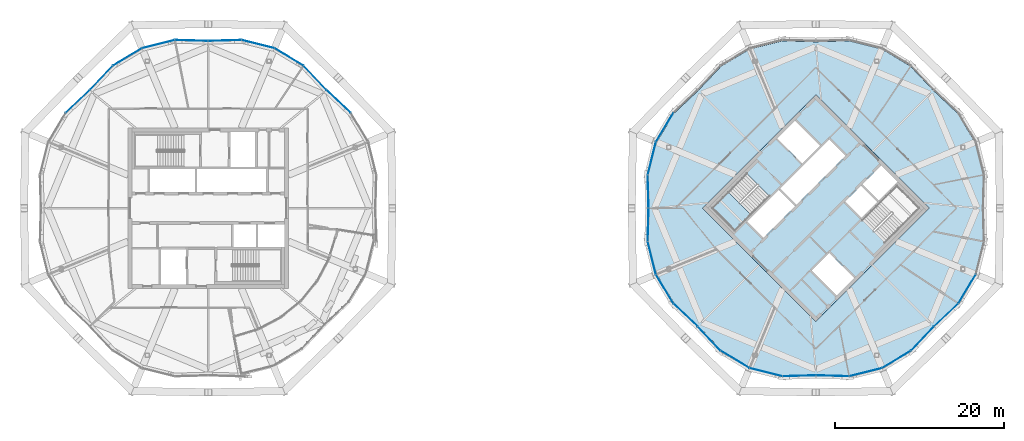
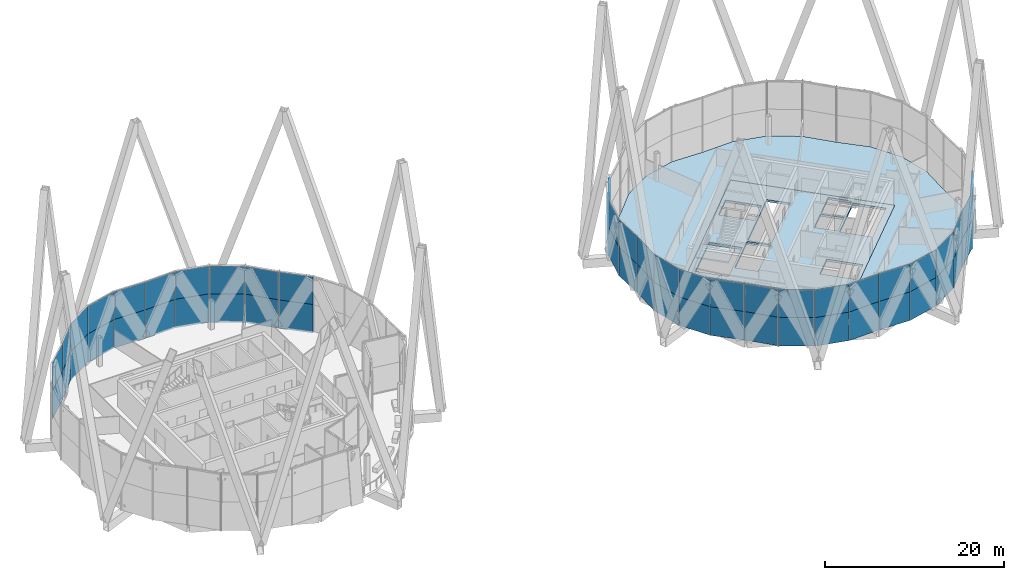
# One storey, part 43 of 53: 54 plates, 3 slabs, 10 elements without a shape of their own.
"""IFC4 building model written with IfcOpenShell, lengths in metres."""

from ifc_helpers import new_model, si_unit, direction, frame, origin, origin_2d, place, context, subcontext, project, spatial, polyline, rectangle, outline, extrude, material, layer, layer_set, type_object, element, aggregate, save


model = new_model("IFC4")

# Units and contexts
model_context = context("Model", 3, precision=1e-05, world=origin(), true_north=direction((0.0, 1.0)))
body_context = subcontext(model_context, "Body", "Model", "MODEL_VIEW")
ifc_project = project(units=[si_unit("LENGTHUNIT", "METRE"), si_unit("AREAUNIT", "SQUARE_METRE"), si_unit("VOLUMEUNIT", "CUBIC_METRE"), si_unit("PLANEANGLEUNIT", "RADIAN"), si_unit("MASSUNIT", "GRAM", prefix="KILO")], contexts=[model_context])

# Site, building, storey
site_placement = place(None, origin())
site = spatial("IfcSite", under=ifc_project, at=site_placement, CompositionType="ELEMENT")
building_placement = place(site_placement, origin())
building = spatial("IfcBuilding", under=site, at=building_placement, Name="Ogive Gate Towers", CompositionType="ELEMENT")
storey_placement = place(building_placement, frame((0.0, 0.0, 240.60009765625)))
storey = spatial("IfcBuildingStorey", under=building, at=storey_placement, Name="L57", CompositionType="ELEMENT", Elevation=240.60009765625)

# Slabs
ifc_material_1 = material(Name="Concrete C40/50", Category="concrete")
ifc_layer_1 = layer(ifc_material_1, 0.300048828125)
ifc_layer_set_1 = layer_set([ifc_layer_1], Name="Core slab C40/50 300 mm")
slab_type_1 = type_object("IfcSlabType", Name="Core slab C40/50 300 mm", PredefinedType="FLOOR", material=ifc_layer_set_1)
slab_1_placement = place(storey_placement, frame((0.0, 0.0, -0.300048828125)))
element("IfcSlab", 1, at=slab_1_placement, inside=storey, type_object=slab_type_1, Name="T2 L57 core slab", PredefinedType="FLOOR", context=body_context, shape_type="SweptSolid", body=[
    extrude(outline(polyline([(36.0, -13.43505859375), (22.56494140625, 0.0), (36.0, 13.43505859375), (49.43505859375, 0.0), (36.0, -13.43505859375)]), holes=[polyline([(29.777587890625, -3.500244140625), (33.525146484375, 0.24755859375), (31.615966796875, 2.15673828125), (27.868408203125, -1.591064453125), (29.777587890625, -3.500244140625)]), polyline([(31.792724609375, 2.33349609375), (33.701904296875, 0.42431640625), (39.500244140625, 6.222412109375), (37.591064453125, 8.131591796875), (31.792724609375, 2.33349609375)]), polyline([(41.3740234375, 2.651611328125), (39.500244140625, 0.77783203125), (41.409423828125, -1.13134765625), (43.283203125, 0.742431640625), (41.3740234375, 2.651611328125)]), polyline([(45.669677734375, 3.12890625), (43.760498046875, 5.0380859375), (41.55078125, 2.828369140625), (43.4599609375, 0.919189453125), (45.669677734375, 3.12890625)]), polyline([(34.408935546875, 5.30322265625), (36.4951171875, 7.389404296875), (33.542724609375, 10.34130859375), (31.456787109375, 8.255615234375), (34.408935546875, 5.30322265625)]), polyline([(35.5048828125, -7.389404296875), (38.457275390625, -10.34130859375), (40.543212890625, -8.255615234375), (37.591064453125, -5.30322265625), (35.5048828125, -7.389404296875)]), polyline([(26.40087890625, -2.70458984375), (30.512939453125, 1.406982421875), (27.80810546875, 4.11181640625), (23.6962890625, 0.0), (26.40087890625, -2.70458984375)]), polyline([(48.3037109375, 0.0), (45.59912109375, 2.70458984375), (41.487060546875, -1.406982421875), (44.19189453125, -4.11181640625), (48.3037109375, 0.0)])]), origin(), (0.0, 0.0, 1.0), 0.300048828125),
])
ifc_material_2 = material(Name="Concrete C35/45", Category="concrete")
ifc_layer_2 = layer(ifc_material_2, 0.300048828125)
ifc_layer_set_2 = layer_set([ifc_layer_2], Name="Floor slab 300")
slab_type_2 = type_object("IfcSlabType", Name="Floor slab 300", PredefinedType="FLOOR", material=ifc_layer_set_2)
slab_2_placement = place(storey_placement, frame((0.0, 0.0, -0.300048828125)))
element("IfcSlab", 2, at=slab_2_placement, inside=storey, type_object=slab_type_2, Name="T2/L57/SSL001", PredefinedType="FLOOR", context=body_context, shape_type="SweptSolid", body=[
    extrude(outline(polyline([(55.82177734375, -3.94287109375), (55.7099609375, 0.0), (55.82177734375, 3.94287109375), (54.8564453125, 7.810546875), (52.803955078125, 11.22802734375), (49.93701171875, 13.93701171875), (47.22802734375, 16.803955078125), (43.810546875, 18.8564453125), (39.94287109375, 19.82177734375), (36.0, 19.7099609375), (32.05712890625, 19.82177734375), (28.189453125, 18.8564453125), (24.77197265625, 16.803955078125), (22.06298828125, 13.93701171875), (19.196044921875, 11.22802734375), (17.1435546875, 7.810546875), (16.17822265625, 3.94287109375), (16.2900390625, 0.0), (16.17822265625, -3.94287109375), (17.1435546875, -7.810546875), (19.196044921875, -11.22802734375), (22.06298828125, -13.93701171875), (24.77197265625, -16.803955078125), (28.189453125, -18.8564453125), (32.05712890625, -19.82177734375), (36.0, -19.7099609375), (39.94287109375, -19.82177734375), (43.810546875, -18.8564453125), (47.22802734375, -16.803955078125), (49.93701171875, -13.93701171875), (52.803955078125, -11.22802734375), (54.8564453125, -7.810546875), (55.82177734375, -3.94287109375)]), holes=[polyline([(49.43505859375, 0.0), (36.0, -13.43505859375), (22.56494140625, 0.0), (36.0, 13.43505859375), (49.43505859375, 0.0)])]), origin(), (0.0, 0.0, 1.0), 0.300048828125),
])

# Stair, slab
stair_type = type_object("IfcStairType", Name="Escape stair 1840 wide", PredefinedType="HALF_TURN_STAIR", material=ifc_material_1)
stair_placement = place(storey_placement, origin())
stair = element("IfcStair", 3, at=stair_placement, inside=storey, type_object=stair_type, Name="L57 Escape stair 1", PredefinedType="HALF_TURN_STAIR")
ifc_layer_3 = layer(ifc_material_1, 0.199951171875)
ifc_layer_set_3 = layer_set([ifc_layer_3], Name="Stair landing 200 mm")
slab_type_3 = type_object("IfcSlabType", Name="Stair landing 200 mm", PredefinedType="LANDING", material=ifc_layer_set_3)
slab_3_placement = place(storey_placement, frame((0.0, 0.0, 1.75)))
slab_3 = element("IfcSlab", 4, at=slab_3_placement, type_object=slab_type_3, Name="ST1 landing 1", PredefinedType="LANDING", context=body_context, shape_type="SweptSolid", body=[
    extrude(outline(polyline([(25.6044921875, 1.908203125), (23.6962890625, 0.0), (26.401123046875, -2.70458984375), (28.309326171875, -0.79638671875), (25.6044921875, 1.908203125)])), origin(), (0.0, 0.0, 1.0), 0.199951171875),
])
aggregate(stair, [slab_3])

# Curtain wall, plates
ifc_material_3 = material(Name="Pale metal aluminium", Category="aluminium")
curtain_wall_type = type_object("IfcCurtainWallType", Name="Tower unitised wall, high zone", PredefinedType="NOTDEFINED", material=ifc_material_3)
curtain_wall_1_placement = place(storey_placement, origin())
curtain_wall_1 = element("IfcCurtainWall", 5, at=curtain_wall_1_placement, inside=storey, type_object=curtain_wall_type, Name="CW2 T1 ECW03", PredefinedType="NOTDEFINED")
ifc_material_4 = material(Name="Clear glass", Category="glass")
ifc_layer_4 = layer(ifc_material_4, 0.028076171875)
ifc_layer_set_4 = layer_set([ifc_layer_4], Name="Tower unitised wall, high zone glass panel")
plate_type = type_object("IfcPlateType", Name="Tower unitised wall, high zone glass panel", PredefinedType="CURTAIN_PANEL", material=ifc_layer_set_4)
plate_1_placement = place(storey_placement, frame((-20.55615234375, 12.65087890625, -0.300048828125), z_axis=(0.0, 0.0, 1.0), x_axis=(0.726850427027, -0.686795789687, 0.0)))
plate_1 = element("IfcPlate", 6, at=plate_1_placement, type_object=plate_type, Name="CW2 glass panel", PredefinedType="CURTAIN_PANEL", context=body_context, shape_type="SweptSolid", body=[
    extrude(rectangle(XDim=3.8974609375, YDim=0.028076171875, at=origin_2d()), origin(), (0.0, 0.0, 1.0), 3.89990234375),
])
plate_2_placement = place(storey_placement, frame((-20.55615234375, 12.65087890625, 3.60009765625), z_axis=(0.0, 0.0, 1.0), x_axis=(0.726850427027, -0.686795789687, 0.0)))
plate_2 = element("IfcPlate", 7, at=plate_2_placement, type_object=plate_type, Name="CW2 glass panel", PredefinedType="CURTAIN_PANEL", context=body_context, shape_type="SweptSolid", body=[
    extrude(rectangle(XDim=3.8974609375, YDim=0.028076171875, at=origin_2d()), origin(), (0.0, 0.0, 1.0), 3.803955078125),
])
aggregate(curtain_wall_1, [plate_1, plate_2])

curtain_wall_2_placement = place(storey_placement, origin())
curtain_wall_2 = element("IfcCurtainWall", 8, at=curtain_wall_2_placement, inside=storey, type_object=curtain_wall_type, Name="CW2 T1 ECW04", PredefinedType="NOTDEFINED")
plate_3_placement = place(storey_placement, frame((-34.025146484375, 19.865966796875, -0.300048828125), z_axis=(0.0, 0.0, 1.0), x_axis=(0.999598826037, 0.028322905681, 0.0)))
plate_3 = element("IfcPlate", 9, at=plate_3_placement, type_object=plate_type, Name="CW2 glass panel", PredefinedType="CURTAIN_PANEL", context=body_context, shape_type="SweptSolid", body=[
    extrude(rectangle(XDim=3.8974609375, YDim=0.028076171875, at=origin_2d()), origin(), (0.0, 0.0, 1.0), 3.89990234375),
])
plate_4_placement = place(storey_placement, frame((-34.025146484375, 19.865966796875, 3.60009765625), z_axis=(0.0, 0.0, 1.0), x_axis=(0.999598826037, 0.028322905681, 0.0)))
plate_4 = element("IfcPlate", 10, at=plate_4_placement, type_object=plate_type, Name="CW2 glass panel", PredefinedType="CURTAIN_PANEL", context=body_context, shape_type="SweptSolid", body=[
    extrude(rectangle(XDim=3.8974609375, YDim=0.028076171875, at=origin_2d()), origin(), (0.0, 0.0, 1.0), 3.803955078125),
])
plate_5_placement = place(storey_placement, frame((-30.0986328125, 19.435791015625, -0.300048828125), z_axis=(0.0, 0.0, 1.0), x_axis=(0.970240810964, -0.242142042488, 0.0)))
plate_5 = element("IfcPlate", 11, at=plate_5_placement, type_object=plate_type, Name="CW2 glass panel", PredefinedType="CURTAIN_PANEL", context=body_context, shape_type="SweptSolid", body=[
    extrude(rectangle(XDim=3.953125, YDim=0.028076171875, at=origin_2d()), origin(), (0.0, 0.0, 1.0), 3.89990234375),
])
plate_6_placement = place(storey_placement, frame((-30.0986328125, 19.435791015625, 3.60009765625), z_axis=(0.0, 0.0, 1.0), x_axis=(0.970240810964, -0.242142042488, 0.0)))
plate_6 = element("IfcPlate", 12, at=plate_6_placement, type_object=plate_type, Name="CW2 glass panel", PredefinedType="CURTAIN_PANEL", context=body_context, shape_type="SweptSolid", body=[
    extrude(rectangle(XDim=3.953125, YDim=0.028076171875, at=origin_2d()), origin(), (0.0, 0.0, 1.0), 3.803955078125),
])
plate_7_placement = place(storey_placement, frame((-26.4296875, 17.916259765625, -0.300048828125), z_axis=(0.0, 0.0, 1.0), x_axis=(0.85728413707, -0.514843576563, 0.0)))
plate_7 = element("IfcPlate", 13, at=plate_7_placement, type_object=plate_type, Name="CW2 glass panel", PredefinedType="CURTAIN_PANEL", context=body_context, shape_type="SweptSolid", body=[
    extrude(rectangle(XDim=3.952880859375, YDim=0.028076171875, at=origin_2d()), origin(), (0.0, 0.0, 1.0), 3.89990234375),
])
plate_8_placement = place(storey_placement, frame((-26.4296875, 17.916259765625, 3.60009765625), z_axis=(0.0, 0.0, 1.0), x_axis=(0.85728413707, -0.514843576563, 0.0)))
plate_8 = element("IfcPlate", 14, at=plate_8_placement, type_object=plate_type, Name="CW2 glass panel", PredefinedType="CURTAIN_PANEL", context=body_context, shape_type="SweptSolid", body=[
    extrude(rectangle(XDim=3.952880859375, YDim=0.028076171875, at=origin_2d()), origin(), (0.0, 0.0, 1.0), 3.803955078125),
])
plate_9_placement = place(storey_placement, frame((-23.34912109375, 15.44384765625, -0.300048828125), z_axis=(0.0, 0.0, 1.0), x_axis=(0.686795789687, -0.726850427027, 0.0)))
plate_9 = element("IfcPlate", 15, at=plate_9_placement, type_object=plate_type, Name="CW2 glass panel", PredefinedType="CURTAIN_PANEL", context=body_context, shape_type="SweptSolid", body=[
    extrude(rectangle(XDim=3.8974609375, YDim=0.028076171875, at=origin_2d()), origin(), (0.0, 0.0, 1.0), 3.89990234375),
])
plate_10_placement = place(storey_placement, frame((-23.34912109375, 15.44384765625, 3.60009765625), z_axis=(0.0, 0.0, 1.0), x_axis=(0.686795789687, -0.726850427027, 0.0)))
plate_10 = element("IfcPlate", 16, at=plate_10_placement, type_object=plate_type, Name="CW2 glass panel", PredefinedType="CURTAIN_PANEL", context=body_context, shape_type="SweptSolid", body=[
    extrude(rectangle(XDim=3.8974609375, YDim=0.028076171875, at=origin_2d()), origin(), (0.0, 0.0, 1.0), 3.803955078125),
])
aggregate(curtain_wall_2, [plate_3, plate_4, plate_5, plate_6, plate_7, plate_8, plate_9, plate_10])

curtain_wall_3_placement = place(storey_placement, origin())
curtain_wall_3 = element("IfcCurtainWall", 17, at=curtain_wall_3_placement, inside=storey, type_object=curtain_wall_type, Name="CW2 T1 ECW05", PredefinedType="NOTDEFINED")
plate_11_placement = place(storey_placement, frame((-48.65087890625, 15.44384765625, -0.300048828125), z_axis=(0.0, 0.0, 1.0), x_axis=(0.686795789687, 0.726850427027, 0.0)))
plate_11 = element("IfcPlate", 18, at=plate_11_placement, type_object=plate_type, Name="CW2 glass panel", PredefinedType="CURTAIN_PANEL", context=body_context, shape_type="SweptSolid", body=[
    extrude(rectangle(XDim=3.8974609375, YDim=0.028076171875, at=origin_2d()), origin(), (0.0, 0.0, 1.0), 3.89990234375),
])
plate_12_placement = place(storey_placement, frame((-48.65087890625, 15.44384765625, 3.60009765625), z_axis=(0.0, 0.0, 1.0), x_axis=(0.686795789687, 0.726850427027, 0.0)))
plate_12 = element("IfcPlate", 19, at=plate_12_placement, type_object=plate_type, Name="CW2 glass panel", PredefinedType="CURTAIN_PANEL", context=body_context, shape_type="SweptSolid", body=[
    extrude(rectangle(XDim=3.8974609375, YDim=0.028076171875, at=origin_2d()), origin(), (0.0, 0.0, 1.0), 3.803955078125),
])
plate_13_placement = place(storey_placement, frame((-45.5703125, 17.916259765625, -0.300048828125), z_axis=(0.0, 0.0, 1.0), x_axis=(0.85728413707, 0.514843576563, 0.0)))
plate_13 = element("IfcPlate", 20, at=plate_13_placement, type_object=plate_type, Name="CW2 glass panel", PredefinedType="CURTAIN_PANEL", context=body_context, shape_type="SweptSolid", body=[
    extrude(rectangle(XDim=3.952880859375, YDim=0.028076171875, at=origin_2d()), origin(), (0.0, 0.0, 1.0), 3.89990234375),
])
plate_14_placement = place(storey_placement, frame((-45.5703125, 17.916259765625, 3.60009765625), z_axis=(0.0, 0.0, 1.0), x_axis=(0.85728413707, 0.514843576563, 0.0)))
plate_14 = element("IfcPlate", 21, at=plate_14_placement, type_object=plate_type, Name="CW2 glass panel", PredefinedType="CURTAIN_PANEL", context=body_context, shape_type="SweptSolid", body=[
    extrude(rectangle(XDim=3.952880859375, YDim=0.028076171875, at=origin_2d()), origin(), (0.0, 0.0, 1.0), 3.803955078125),
])
plate_15_placement = place(storey_placement, frame((-41.9013671875, 19.435791015625, -0.300048828125), z_axis=(0.0, 0.0, 1.0), x_axis=(0.970240810964, 0.242142042488, 0.0)))
plate_15 = element("IfcPlate", 22, at=plate_15_placement, type_object=plate_type, Name="CW2 glass panel", PredefinedType="CURTAIN_PANEL", context=body_context, shape_type="SweptSolid", body=[
    extrude(rectangle(XDim=3.953125, YDim=0.028076171875, at=origin_2d()), origin(), (0.0, 0.0, 1.0), 3.89990234375),
])
plate_16_placement = place(storey_placement, frame((-41.9013671875, 19.435791015625, 3.60009765625), z_axis=(0.0, 0.0, 1.0), x_axis=(0.970240810964, 0.242142042488, 0.0)))
plate_16 = element("IfcPlate", 23, at=plate_16_placement, type_object=plate_type, Name="CW2 glass panel", PredefinedType="CURTAIN_PANEL", context=body_context, shape_type="SweptSolid", body=[
    extrude(rectangle(XDim=3.953125, YDim=0.028076171875, at=origin_2d()), origin(), (0.0, 0.0, 1.0), 3.803955078125),
])
plate_17_placement = place(storey_placement, frame((-37.974853515625, 19.865966796875, -0.300048828125), z_axis=(0.0, 0.0, 1.0), x_axis=(0.999598826037, -0.028322905681, 0.0)))
plate_17 = element("IfcPlate", 24, at=plate_17_placement, type_object=plate_type, Name="CW2 glass panel", PredefinedType="CURTAIN_PANEL", context=body_context, shape_type="SweptSolid", body=[
    extrude(rectangle(XDim=3.8974609375, YDim=0.028076171875, at=origin_2d()), origin(), (0.0, 0.0, 1.0), 3.89990234375),
])
plate_18_placement = place(storey_placement, frame((-37.974853515625, 19.865966796875, 3.60009765625), z_axis=(0.0, 0.0, 1.0), x_axis=(0.999598826037, -0.028322905681, 0.0)))
plate_18 = element("IfcPlate", 25, at=plate_18_placement, type_object=plate_type, Name="CW2 glass panel", PredefinedType="CURTAIN_PANEL", context=body_context, shape_type="SweptSolid", body=[
    extrude(rectangle(XDim=3.8974609375, YDim=0.028076171875, at=origin_2d()), origin(), (0.0, 0.0, 1.0), 3.803955078125),
])
aggregate(curtain_wall_3, [plate_11, plate_12, plate_13, plate_14, plate_15, plate_16, plate_17, plate_18])

curtain_wall_4_placement = place(storey_placement, origin())
curtain_wall_4 = element("IfcCurtainWall", 26, at=curtain_wall_4_placement, inside=storey, type_object=curtain_wall_type, Name="CW2 T1 ECW06", PredefinedType="NOTDEFINED")
plate_19_placement = place(storey_placement, frame((-51.44384765625, 12.65087890625, -0.300048828125), z_axis=(0.0, 0.0, 1.0), x_axis=(0.726850427027, 0.686795789687, 0.0)))
plate_19 = element("IfcPlate", 27, at=plate_19_placement, type_object=plate_type, Name="CW2 glass panel", PredefinedType="CURTAIN_PANEL", context=body_context, shape_type="SweptSolid", body=[
    extrude(rectangle(XDim=3.8974609375, YDim=0.028076171875, at=origin_2d()), origin(), (0.0, 0.0, 1.0), 3.89990234375),
])
plate_20_placement = place(storey_placement, frame((-51.44384765625, 12.65087890625, 3.60009765625), z_axis=(0.0, 0.0, 1.0), x_axis=(0.726850427027, 0.686795789687, 0.0)))
plate_20 = element("IfcPlate", 28, at=plate_20_placement, type_object=plate_type, Name="CW2 glass panel", PredefinedType="CURTAIN_PANEL", context=body_context, shape_type="SweptSolid", body=[
    extrude(rectangle(XDim=3.8974609375, YDim=0.028076171875, at=origin_2d()), origin(), (0.0, 0.0, 1.0), 3.803955078125),
])
aggregate(curtain_wall_4, [plate_19, plate_20])

curtain_wall_5_placement = place(storey_placement, origin())
curtain_wall_5 = element("IfcCurtainWall", 29, at=curtain_wall_5_placement, inside=storey, type_object=curtain_wall_type, Name="CW2 T2 ECW04", PredefinedType="NOTDEFINED")
plate_21_placement = place(storey_placement, frame((18.083740234375, 9.5703125, -0.300048828125), z_axis=(0.0, 0.0, 1.0), x_axis=(-0.514843576563, -0.85728413707, 0.0)))
plate_21 = element("IfcPlate", 30, at=plate_21_placement, type_object=plate_type, Name="CW2 glass panel", PredefinedType="CURTAIN_PANEL", context=body_context, shape_type="SweptSolid", body=[
    extrude(rectangle(XDim=3.952880859375, YDim=0.028076171875, at=origin_2d()), origin(), (0.0, 0.0, 1.0), 3.89990234375),
])
plate_22_placement = place(storey_placement, frame((18.083740234375, 9.5703125, 3.60009765625), z_axis=(0.0, 0.0, 1.0), x_axis=(-0.514843576563, -0.85728413707, 0.0)))
plate_22 = element("IfcPlate", 31, at=plate_22_placement, type_object=plate_type, Name="CW2 glass panel", PredefinedType="CURTAIN_PANEL", context=body_context, shape_type="SweptSolid", body=[
    extrude(rectangle(XDim=3.952880859375, YDim=0.028076171875, at=origin_2d()), origin(), (0.0, 0.0, 1.0), 3.803955078125),
])
plate_23_placement = place(storey_placement, frame((16.564208984375, 5.9013671875, -0.300048828125), z_axis=(0.0, 0.0, 1.0), x_axis=(-0.242142042488, -0.970240810964, 0.0)))
plate_23 = element("IfcPlate", 32, at=plate_23_placement, type_object=plate_type, Name="CW2 glass panel", PredefinedType="CURTAIN_PANEL", context=body_context, shape_type="SweptSolid", body=[
    extrude(rectangle(XDim=3.953125, YDim=0.028076171875, at=origin_2d()), origin(), (0.0, 0.0, 1.0), 3.89990234375),
])
plate_24_placement = place(storey_placement, frame((16.564208984375, 5.9013671875, 3.60009765625), z_axis=(0.0, 0.0, 1.0), x_axis=(-0.242142042488, -0.970240810964, 0.0)))
plate_24 = element("IfcPlate", 33, at=plate_24_placement, type_object=plate_type, Name="CW2 glass panel", PredefinedType="CURTAIN_PANEL", context=body_context, shape_type="SweptSolid", body=[
    extrude(rectangle(XDim=3.953125, YDim=0.028076171875, at=origin_2d()), origin(), (0.0, 0.0, 1.0), 3.803955078125),
])
plate_25_placement = place(storey_placement, frame((16.134033203125, 1.974853515625, -0.300048828125), z_axis=(0.0, 0.0, 1.0), x_axis=(0.028322905681, -0.999598826037, 0.0)))
plate_25 = element("IfcPlate", 34, at=plate_25_placement, type_object=plate_type, Name="CW2 glass panel", PredefinedType="CURTAIN_PANEL", context=body_context, shape_type="SweptSolid", body=[
    extrude(rectangle(XDim=3.8974609375, YDim=0.028076171875, at=origin_2d()), origin(), (0.0, 0.0, 1.0), 3.89990234375),
])
plate_26_placement = place(storey_placement, frame((16.134033203125, 1.974853515625, 3.60009765625), z_axis=(0.0, 0.0, 1.0), x_axis=(0.028322905681, -0.999598826037, 0.0)))
plate_26 = element("IfcPlate", 35, at=plate_26_placement, type_object=plate_type, Name="CW2 glass panel", PredefinedType="CURTAIN_PANEL", context=body_context, shape_type="SweptSolid", body=[
    extrude(rectangle(XDim=3.8974609375, YDim=0.028076171875, at=origin_2d()), origin(), (0.0, 0.0, 1.0), 3.803955078125),
])
aggregate(curtain_wall_5, [plate_21, plate_22, plate_23, plate_24, plate_25, plate_26])

curtain_wall_6_placement = place(storey_placement, origin())
curtain_wall_6 = element("IfcCurtainWall", 36, at=curtain_wall_6_placement, inside=storey, type_object=curtain_wall_type, Name="CW2 T2 ECW05", PredefinedType="NOTDEFINED")
plate_27_placement = place(storey_placement, frame((16.134033203125, -1.974853515625, -0.300048828125), z_axis=(0.0, 0.0, 1.0), x_axis=(-0.028322905681, -0.999598826037, 0.0)))
plate_27 = element("IfcPlate", 37, at=plate_27_placement, type_object=plate_type, Name="CW2 glass panel", PredefinedType="CURTAIN_PANEL", context=body_context, shape_type="SweptSolid", body=[
    extrude(rectangle(XDim=3.8974609375, YDim=0.028076171875, at=origin_2d()), origin(), (0.0, 0.0, 1.0), 3.89990234375),
])
plate_28_placement = place(storey_placement, frame((16.134033203125, -1.974853515625, 3.60009765625), z_axis=(0.0, 0.0, 1.0), x_axis=(-0.028322905681, -0.999598826037, 0.0)))
plate_28 = element("IfcPlate", 38, at=plate_28_placement, type_object=plate_type, Name="CW2 glass panel", PredefinedType="CURTAIN_PANEL", context=body_context, shape_type="SweptSolid", body=[
    extrude(rectangle(XDim=3.8974609375, YDim=0.028076171875, at=origin_2d()), origin(), (0.0, 0.0, 1.0), 3.803955078125),
])
plate_29_placement = place(storey_placement, frame((16.564208984375, -5.9013671875, -0.300048828125), z_axis=(0.0, 0.0, 1.0), x_axis=(0.242142042488, -0.970240810964, 0.0)))
plate_29 = element("IfcPlate", 39, at=plate_29_placement, type_object=plate_type, Name="CW2 glass panel", PredefinedType="CURTAIN_PANEL", context=body_context, shape_type="SweptSolid", body=[
    extrude(rectangle(XDim=3.953125, YDim=0.028076171875, at=origin_2d()), origin(), (0.0, 0.0, 1.0), 3.89990234375),
])
plate_30_placement = place(storey_placement, frame((16.564208984375, -5.9013671875, 3.60009765625), z_axis=(0.0, 0.0, 1.0), x_axis=(0.242142042488, -0.970240810964, 0.0)))
plate_30 = element("IfcPlate", 40, at=plate_30_placement, type_object=plate_type, Name="CW2 glass panel", PredefinedType="CURTAIN_PANEL", context=body_context, shape_type="SweptSolid", body=[
    extrude(rectangle(XDim=3.953125, YDim=0.028076171875, at=origin_2d()), origin(), (0.0, 0.0, 1.0), 3.803955078125),
])
plate_31_placement = place(storey_placement, frame((18.083740234375, -9.5703125, -0.300048828125), z_axis=(0.0, 0.0, 1.0), x_axis=(0.514843576563, -0.85728413707, 0.0)))
plate_31 = element("IfcPlate", 41, at=plate_31_placement, type_object=plate_type, Name="CW2 glass panel", PredefinedType="CURTAIN_PANEL", context=body_context, shape_type="SweptSolid", body=[
    extrude(rectangle(XDim=3.952880859375, YDim=0.028076171875, at=origin_2d()), origin(), (0.0, 0.0, 1.0), 3.89990234375),
])
plate_32_placement = place(storey_placement, frame((18.083740234375, -9.5703125, 3.60009765625), z_axis=(0.0, 0.0, 1.0), x_axis=(0.514843576563, -0.85728413707, 0.0)))
plate_32 = element("IfcPlate", 42, at=plate_32_placement, type_object=plate_type, Name="CW2 glass panel", PredefinedType="CURTAIN_PANEL", context=body_context, shape_type="SweptSolid", body=[
    extrude(rectangle(XDim=3.952880859375, YDim=0.028076171875, at=origin_2d()), origin(), (0.0, 0.0, 1.0), 3.803955078125),
])
plate_33_placement = place(storey_placement, frame((20.55615234375, -12.65087890625, -0.300048828125), z_axis=(0.0, 0.0, 1.0), x_axis=(0.726850427027, -0.686795789687, 0.0)))
plate_33 = element("IfcPlate", 43, at=plate_33_placement, type_object=plate_type, Name="CW2 glass panel", PredefinedType="CURTAIN_PANEL", context=body_context, shape_type="SweptSolid", body=[
    extrude(rectangle(XDim=3.8974609375, YDim=0.028076171875, at=origin_2d()), origin(), (0.0, 0.0, 1.0), 3.89990234375),
])
plate_34_placement = place(storey_placement, frame((20.55615234375, -12.65087890625, 3.60009765625), z_axis=(0.0, 0.0, 1.0), x_axis=(0.726850427027, -0.686795789687, 0.0)))
plate_34 = element("IfcPlate", 44, at=plate_34_placement, type_object=plate_type, Name="CW2 glass panel", PredefinedType="CURTAIN_PANEL", context=body_context, shape_type="SweptSolid", body=[
    extrude(rectangle(XDim=3.8974609375, YDim=0.028076171875, at=origin_2d()), origin(), (0.0, 0.0, 1.0), 3.803955078125),
])
aggregate(curtain_wall_6, [plate_27, plate_28, plate_29, plate_30, plate_31, plate_32, plate_33, plate_34])

curtain_wall_7_placement = place(storey_placement, origin())
curtain_wall_7 = element("IfcCurtainWall", 45, at=curtain_wall_7_placement, inside=storey, type_object=curtain_wall_type, Name="CW2 T2 ECW06", PredefinedType="NOTDEFINED")
plate_35_placement = place(storey_placement, frame((23.34912109375, -15.44384765625, -0.300048828125), z_axis=(0.0, 0.0, 1.0), x_axis=(0.686795789687, -0.726850427027, 0.0)))
plate_35 = element("IfcPlate", 46, at=plate_35_placement, type_object=plate_type, Name="CW2 glass panel", PredefinedType="CURTAIN_PANEL", context=body_context, shape_type="SweptSolid", body=[
    extrude(rectangle(XDim=3.8974609375, YDim=0.028076171875, at=origin_2d()), origin(), (0.0, 0.0, 1.0), 3.89990234375),
])
plate_36_placement = place(storey_placement, frame((23.34912109375, -15.44384765625, 3.60009765625), z_axis=(0.0, 0.0, 1.0), x_axis=(0.686795789687, -0.726850427027, 0.0)))
plate_36 = element("IfcPlate", 47, at=plate_36_placement, type_object=plate_type, Name="CW2 glass panel", PredefinedType="CURTAIN_PANEL", context=body_context, shape_type="SweptSolid", body=[
    extrude(rectangle(XDim=3.8974609375, YDim=0.028076171875, at=origin_2d()), origin(), (0.0, 0.0, 1.0), 3.803955078125),
])
plate_37_placement = place(storey_placement, frame((26.4296875, -17.916259765625, -0.300048828125), z_axis=(0.0, 0.0, 1.0), x_axis=(0.85728413707, -0.514843576563, 0.0)))
plate_37 = element("IfcPlate", 48, at=plate_37_placement, type_object=plate_type, Name="CW2 glass panel", PredefinedType="CURTAIN_PANEL", context=body_context, shape_type="SweptSolid", body=[
    extrude(rectangle(XDim=3.952880859375, YDim=0.028076171875, at=origin_2d()), origin(), (0.0, 0.0, 1.0), 3.89990234375),
])
plate_38_placement = place(storey_placement, frame((26.4296875, -17.916259765625, 3.60009765625), z_axis=(0.0, 0.0, 1.0), x_axis=(0.85728413707, -0.514843576563, 0.0)))
plate_38 = element("IfcPlate", 49, at=plate_38_placement, type_object=plate_type, Name="CW2 glass panel", PredefinedType="CURTAIN_PANEL", context=body_context, shape_type="SweptSolid", body=[
    extrude(rectangle(XDim=3.952880859375, YDim=0.028076171875, at=origin_2d()), origin(), (0.0, 0.0, 1.0), 3.803955078125),
])
plate_39_placement = place(storey_placement, frame((30.0986328125, -19.435791015625, -0.300048828125), z_axis=(0.0, 0.0, 1.0), x_axis=(0.970240810964, -0.242142042488, 0.0)))
plate_39 = element("IfcPlate", 50, at=plate_39_placement, type_object=plate_type, Name="CW2 glass panel", PredefinedType="CURTAIN_PANEL", context=body_context, shape_type="SweptSolid", body=[
    extrude(rectangle(XDim=3.953125, YDim=0.028076171875, at=origin_2d()), origin(), (0.0, 0.0, 1.0), 3.89990234375),
])
plate_40_placement = place(storey_placement, frame((30.0986328125, -19.435791015625, 3.60009765625), z_axis=(0.0, 0.0, 1.0), x_axis=(0.970240810964, -0.242142042488, 0.0)))
plate_40 = element("IfcPlate", 51, at=plate_40_placement, type_object=plate_type, Name="CW2 glass panel", PredefinedType="CURTAIN_PANEL", context=body_context, shape_type="SweptSolid", body=[
    extrude(rectangle(XDim=3.953125, YDim=0.028076171875, at=origin_2d()), origin(), (0.0, 0.0, 1.0), 3.803955078125),
])
plate_41_placement = place(storey_placement, frame((34.025146484375, -19.865966796875, -0.300048828125), z_axis=(0.0, 0.0, 1.0), x_axis=(0.999598826037, 0.028322905681, 0.0)))
plate_41 = element("IfcPlate", 52, at=plate_41_placement, type_object=plate_type, Name="CW2 glass panel", PredefinedType="CURTAIN_PANEL", context=body_context, shape_type="SweptSolid", body=[
    extrude(rectangle(XDim=3.8974609375, YDim=0.028076171875, at=origin_2d()), origin(), (0.0, 0.0, 1.0), 3.89990234375),
])
plate_42_placement = place(storey_placement, frame((34.025146484375, -19.865966796875, 3.60009765625), z_axis=(0.0, 0.0, 1.0), x_axis=(0.999598826037, 0.028322905681, 0.0)))
plate_42 = element("IfcPlate", 53, at=plate_42_placement, type_object=plate_type, Name="CW2 glass panel", PredefinedType="CURTAIN_PANEL", context=body_context, shape_type="SweptSolid", body=[
    extrude(rectangle(XDim=3.8974609375, YDim=0.028076171875, at=origin_2d()), origin(), (0.0, 0.0, 1.0), 3.803955078125),
])
aggregate(curtain_wall_7, [plate_35, plate_36, plate_37, plate_38, plate_39, plate_40, plate_41, plate_42])

curtain_wall_8_placement = place(storey_placement, origin())
curtain_wall_8 = element("IfcCurtainWall", 54, at=curtain_wall_8_placement, inside=storey, type_object=curtain_wall_type, Name="CW2 T2 ECW07", PredefinedType="NOTDEFINED")
plate_43_placement = place(storey_placement, frame((37.974853515625, -19.865966796875, -0.300048828125), z_axis=(0.0, 0.0, 1.0), x_axis=(0.999598826037, -0.028322905681, 0.0)))
plate_43 = element("IfcPlate", 55, at=plate_43_placement, type_object=plate_type, Name="CW2 glass panel", PredefinedType="CURTAIN_PANEL", context=body_context, shape_type="SweptSolid", body=[
    extrude(rectangle(XDim=3.8974609375, YDim=0.028076171875, at=origin_2d()), origin(), (0.0, 0.0, 1.0), 3.89990234375),
])
plate_44_placement = place(storey_placement, frame((37.974853515625, -19.865966796875, 3.60009765625), z_axis=(0.0, 0.0, 1.0), x_axis=(0.999598826037, -0.028322905681, 0.0)))
plate_44 = element("IfcPlate", 56, at=plate_44_placement, type_object=plate_type, Name="CW2 glass panel", PredefinedType="CURTAIN_PANEL", context=body_context, shape_type="SweptSolid", body=[
    extrude(rectangle(XDim=3.8974609375, YDim=0.028076171875, at=origin_2d()), origin(), (0.0, 0.0, 1.0), 3.803955078125),
])
plate_45_placement = place(storey_placement, frame((41.9013671875, -19.435791015625, -0.300048828125), z_axis=(0.0, 0.0, 1.0), x_axis=(0.970240810964, 0.242142042488, 0.0)))
plate_45 = element("IfcPlate", 57, at=plate_45_placement, type_object=plate_type, Name="CW2 glass panel", PredefinedType="CURTAIN_PANEL", context=body_context, shape_type="SweptSolid", body=[
    extrude(rectangle(XDim=3.953125, YDim=0.028076171875, at=origin_2d()), origin(), (0.0, 0.0, 1.0), 3.89990234375),
])
plate_46_placement = place(storey_placement, frame((41.9013671875, -19.435791015625, 3.60009765625), z_axis=(0.0, 0.0, 1.0), x_axis=(0.970240810964, 0.242142042488, 0.0)))
plate_46 = element("IfcPlate", 58, at=plate_46_placement, type_object=plate_type, Name="CW2 glass panel", PredefinedType="CURTAIN_PANEL", context=body_context, shape_type="SweptSolid", body=[
    extrude(rectangle(XDim=3.953125, YDim=0.028076171875, at=origin_2d()), origin(), (0.0, 0.0, 1.0), 3.803955078125),
])
plate_47_placement = place(storey_placement, frame((45.5703125, -17.916259765625, -0.300048828125), z_axis=(0.0, 0.0, 1.0), x_axis=(0.85728413707, 0.514843576563, 0.0)))
plate_47 = element("IfcPlate", 59, at=plate_47_placement, type_object=plate_type, Name="CW2 glass panel", PredefinedType="CURTAIN_PANEL", context=body_context, shape_type="SweptSolid", body=[
    extrude(rectangle(XDim=3.952880859375, YDim=0.028076171875, at=origin_2d()), origin(), (0.0, 0.0, 1.0), 3.89990234375),
])
plate_48_placement = place(storey_placement, frame((45.5703125, -17.916259765625, 3.60009765625), z_axis=(0.0, 0.0, 1.0), x_axis=(0.85728413707, 0.514843576563, 0.0)))
plate_48 = element("IfcPlate", 60, at=plate_48_placement, type_object=plate_type, Name="CW2 glass panel", PredefinedType="CURTAIN_PANEL", context=body_context, shape_type="SweptSolid", body=[
    extrude(rectangle(XDim=3.952880859375, YDim=0.028076171875, at=origin_2d()), origin(), (0.0, 0.0, 1.0), 3.803955078125),
])
plate_49_placement = place(storey_placement, frame((48.65087890625, -15.44384765625, -0.300048828125), z_axis=(0.0, 0.0, 1.0), x_axis=(0.686795789687, 0.726850427027, 0.0)))
plate_49 = element("IfcPlate", 61, at=plate_49_placement, type_object=plate_type, Name="CW2 glass panel", PredefinedType="CURTAIN_PANEL", context=body_context, shape_type="SweptSolid", body=[
    extrude(rectangle(XDim=3.8974609375, YDim=0.028076171875, at=origin_2d()), origin(), (0.0, 0.0, 1.0), 3.89990234375),
])
plate_50_placement = place(storey_placement, frame((48.65087890625, -15.44384765625, 3.60009765625), z_axis=(0.0, 0.0, 1.0), x_axis=(0.686795789687, 0.726850427027, 0.0)))
plate_50 = element("IfcPlate", 62, at=plate_50_placement, type_object=plate_type, Name="CW2 glass panel", PredefinedType="CURTAIN_PANEL", context=body_context, shape_type="SweptSolid", body=[
    extrude(rectangle(XDim=3.8974609375, YDim=0.028076171875, at=origin_2d()), origin(), (0.0, 0.0, 1.0), 3.803955078125),
])
aggregate(curtain_wall_8, [plate_43, plate_44, plate_45, plate_46, plate_47, plate_48, plate_49, plate_50])

curtain_wall_9_placement = place(storey_placement, origin())
curtain_wall_9 = element("IfcCurtainWall", 63, at=curtain_wall_9_placement, inside=storey, type_object=curtain_wall_type, Name="CW2 T2 ECW08", PredefinedType="NOTDEFINED")
plate_51_placement = place(storey_placement, frame((51.44384765625, -12.65087890625, -0.300048828125), z_axis=(0.0, 0.0, 1.0), x_axis=(0.726850427027, 0.686795789687, 0.0)))
plate_51 = element("IfcPlate", 64, at=plate_51_placement, type_object=plate_type, Name="CW2 glass panel", PredefinedType="CURTAIN_PANEL", context=body_context, shape_type="SweptSolid", body=[
    extrude(rectangle(XDim=3.8974609375, YDim=0.028076171875, at=origin_2d()), origin(), (0.0, 0.0, 1.0), 3.89990234375),
])
plate_52_placement = place(storey_placement, frame((51.44384765625, -12.65087890625, 3.60009765625), z_axis=(0.0, 0.0, 1.0), x_axis=(0.726850427027, 0.686795789687, 0.0)))
plate_52 = element("IfcPlate", 65, at=plate_52_placement, type_object=plate_type, Name="CW2 glass panel", PredefinedType="CURTAIN_PANEL", context=body_context, shape_type="SweptSolid", body=[
    extrude(rectangle(XDim=3.8974609375, YDim=0.028076171875, at=origin_2d()), origin(), (0.0, 0.0, 1.0), 3.803955078125),
])
plate_53_placement = place(storey_placement, frame((53.916259765625, -9.5703125, -0.300048828125), z_axis=(0.0, 0.0, 1.0), x_axis=(0.514843576563, 0.85728413707, 0.0)))
plate_53 = element("IfcPlate", 66, at=plate_53_placement, type_object=plate_type, Name="CW2 glass panel", PredefinedType="CURTAIN_PANEL", context=body_context, shape_type="SweptSolid", body=[
    extrude(rectangle(XDim=3.952880859375, YDim=0.028076171875, at=origin_2d()), origin(), (0.0, 0.0, 1.0), 3.89990234375),
])
plate_54_placement = place(storey_placement, frame((53.916259765625, -9.5703125, 3.60009765625), z_axis=(0.0, 0.0, 1.0), x_axis=(0.514843576563, 0.85728413707, 0.0)))
plate_54 = element("IfcPlate", 67, at=plate_54_placement, type_object=plate_type, Name="CW2 glass panel", PredefinedType="CURTAIN_PANEL", context=body_context, shape_type="SweptSolid", body=[
    extrude(rectangle(XDim=3.952880859375, YDim=0.028076171875, at=origin_2d()), origin(), (0.0, 0.0, 1.0), 3.803955078125),
])
aggregate(curtain_wall_9, [plate_51, plate_52, plate_53, plate_54])

save(model, "model.ifc")
